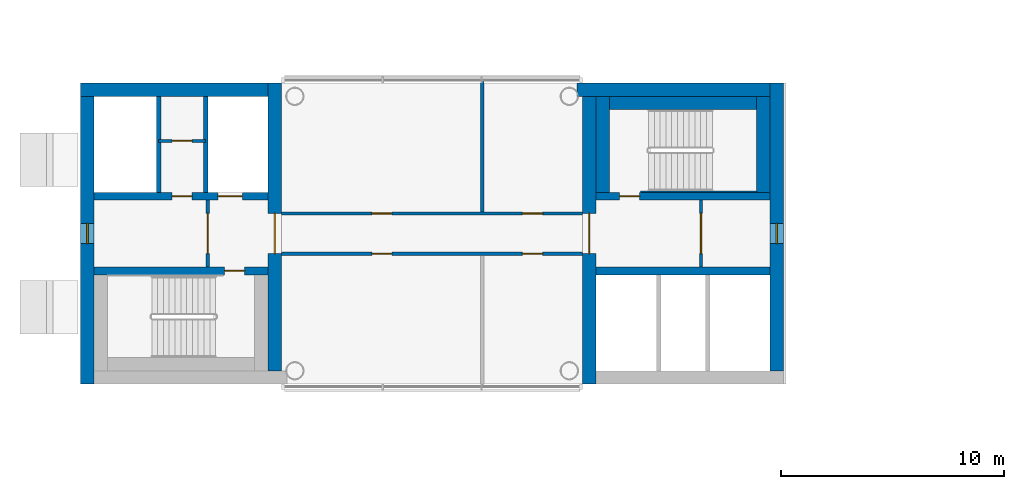
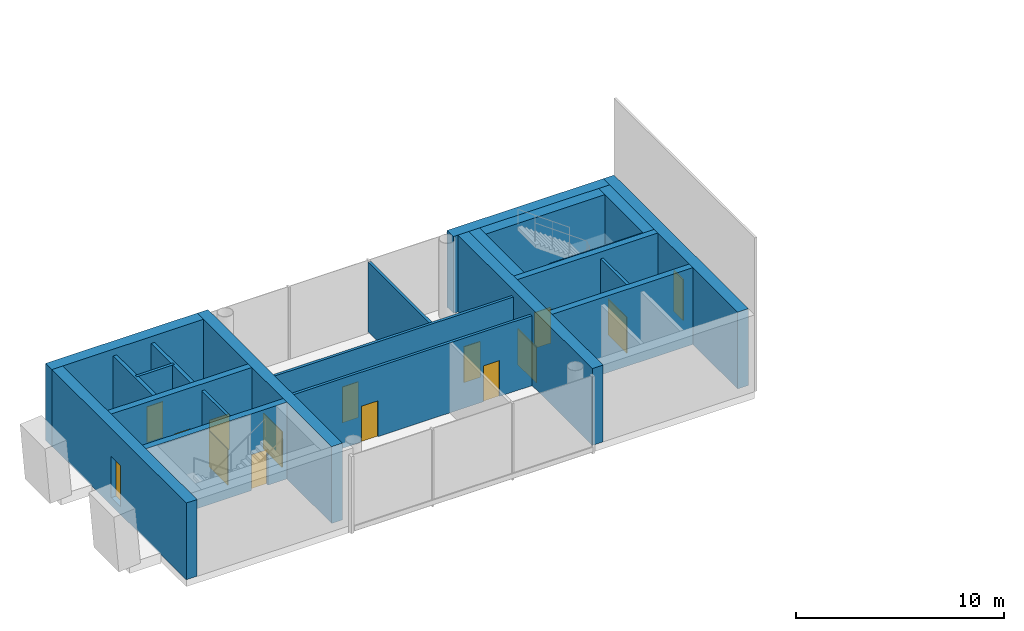
# One storey, part 5 of 11: 22 walls, 13 doors, 2 windows, 15 openings.
"""IFC4 building model written with IfcOpenShell, lengths in metres."""

from ifc_helpers import new_model, si_unit, direction, frame, frame_2d, origin, place, context, subcontext, project, spatial, rectangle, extrude, material, layer, layer_set, type_object, element, fill, save


model = new_model("IFC4")

# Units and contexts
model_context = context("Model", 3, precision=1e-05, world=origin(), true_north=direction((0.0, 1.0)))
body_context = subcontext(model_context, "Body", "Model", "MODEL_VIEW")
ifc_project = project(units=[si_unit("LENGTHUNIT", "METRE"), si_unit("AREAUNIT", "SQUARE_METRE"), si_unit("VOLUMEUNIT", "CUBIC_METRE"), si_unit("PLANEANGLEUNIT", "RADIAN"), si_unit("MASSUNIT", "GRAM", prefix="KILO")], contexts=[model_context])

# Site, building, storey
site_placement = place(None, origin())
site = spatial("IfcSite", under=ifc_project, at=site_placement, CompositionType="ELEMENT")
building_placement = place(site_placement, origin())
building = spatial("IfcBuilding", under=site, at=building_placement, Name="Ipe Terrace Towers", CompositionType="ELEMENT")
storey_placement = place(building_placement, frame((0.0, 0.0, 251.39990234375)))
storey = spatial("IfcBuildingStorey", under=building, at=storey_placement, Name="L69", CompositionType="ELEMENT", Elevation=251.39990234375)

# Wall, opening, door
ifc_material_1 = material(Name="Gypsum board partition", Category="plasterboard")
ifc_layer_1 = layer(ifc_material_1, 0.14990234375)
ifc_layer_set_1 = layer_set([ifc_layer_1], Name="Gypsum board partition 150 mm")
wall_type_1 = type_object("IfcWallType", Name="Gypsum board partition 150 mm", PredefinedType="PARTITIONING", material=ifc_layer_set_1)
wall_1_placement = place(storey_placement, frame((-23.949951171875, -1.5, 0.0), z_axis=(0.0, 0.0, 1.0), x_axis=(0.0, 1.0, 0.0)))
wall_1 = element("IfcWall", 1, at=wall_1_placement, inside=storey, type_object=wall_type_1, Name="Gypsum board partition T1 L69 t1c1-lobby-wall", PredefinedType="PARTITIONING", context=body_context, shape_type="SweptSolid", body=[
    extrude(rectangle(XDim=3.0, YDim=0.14990234375, at=frame_2d((1.5, 0.0))), origin(), (0.0, 0.0, 1.0), 4.10009765625),
])
opening_1_placement = place(wall_1_placement, frame((0.60009765625, 0.0, 0.0)))
opening_1 = element("IfcOpeningElement", 2, at=opening_1_placement, cuts=wall_1, Name="Opening T1C1-VD", PredefinedType="OPENING", context=body_context, shape_type="SweptSolid", body=[
    extrude(rectangle(XDim=1.800048828125, YDim=2.10009765625, at=frame_2d((0.89990234375, 1.050048828125))), frame((0.0, 0.0849609375, 0.0), z_axis=(0.0, -1.0, 0.0), x_axis=(1.0, 0.0, 0.0)), (0.0, 0.0, 1.0), 0.169921875),
])
ifc_material_2 = material(Name="Fire-rated timber door leaf", Category="wood")
door_type_1 = type_object("IfcDoorType", Name="Lobby door 1800 x 2100 FD60", OperationType="NOTDEFINED", PredefinedType="DOOR", material=ifc_material_2)
door_1_placement = place(opening_1_placement, origin())
door_1 = element("IfcDoor", 3, at=door_1_placement, inside=storey, type_object=door_type_1, Name="Lobby door T1C1-VD", OperationType="SINGLE_SWING_LEFT", OverallHeight=2.10009765625, OverallWidth=1.800048828125, PredefinedType="DOOR", context=body_context, shape_type="SweptSolid", body=[
    extrude(rectangle(XDim=1.800048828125, YDim=2.10009765625, at=frame_2d((0.89990234375, 1.050048828125))), frame((0.0, 0.02490234375, 0.0), z_axis=(0.0, -1.0, 0.0), x_axis=(1.0, 0.0, 0.0)), (0.0, 0.0, 1.0), 0.050048828125),
])
fill(opening_1, door_1)

wall_2_placement = place(storey_placement, frame((-46.050048828125, 1.5, 0.0), z_axis=(0.0, 0.0, 1.0), x_axis=(0.0, -1.0, 0.0)))
wall_2 = element("IfcWall", 4, at=wall_2_placement, inside=storey, type_object=wall_type_1, Name="Gypsum board partition T1 L69 t1c2-lobby-wall", PredefinedType="PARTITIONING", context=body_context, shape_type="SweptSolid", body=[
    extrude(rectangle(XDim=3.0, YDim=0.14990234375, at=frame_2d((1.5, 0.0))), origin(), (0.0, 0.0, 1.0), 4.10009765625),
])
opening_2_placement = place(wall_2_placement, frame((0.60009765625, 0.0, 0.0)))
opening_2 = element("IfcOpeningElement", 5, at=opening_2_placement, cuts=wall_2, Name="Opening T1C2-VD", PredefinedType="OPENING", context=body_context, shape_type="SweptSolid", body=[
    extrude(rectangle(XDim=1.800048828125, YDim=2.10009765625, at=frame_2d((0.89990234375, 1.050048828125))), frame((0.0, 0.0849609375, 0.0), z_axis=(0.0, -1.0, 0.0), x_axis=(1.0, 0.0, 0.0)), (0.0, 0.0, 1.0), 0.169921875),
])
door_2_placement = place(opening_2_placement, origin())
door_2 = element("IfcDoor", 6, at=door_2_placement, inside=storey, type_object=door_type_1, Name="Lobby door T1C2-VD", OperationType="SINGLE_SWING_LEFT", OverallHeight=2.10009765625, OverallWidth=1.800048828125, PredefinedType="DOOR", context=body_context, shape_type="SweptSolid", body=[
    extrude(rectangle(XDim=1.800048828125, YDim=2.10009765625, at=frame_2d((0.89990234375, 1.050048828125))), frame((0.0, 0.02490234375, 0.0), z_axis=(0.0, -1.0, 0.0), x_axis=(1.0, 0.0, 0.0)), (0.0, 0.0, 1.0), 0.050048828125),
])
fill(opening_2, door_2)

wall_3_placement = place(storey_placement, frame((-46.14990234375, 4.14990234375, 0.0), z_axis=(0.0, 0.0, 1.0), x_axis=(-1.0, 0.0, 0.0)))
wall_3 = element("IfcWall", 7, at=wall_3_placement, inside=storey, type_object=wall_type_1, Name="Gypsum board partition T1 L69 t1c2-q-back", PredefinedType="PARTITIONING", context=body_context, shape_type="SweptSolid", body=[
    extrude(rectangle(XDim=2.10009765625, YDim=0.14990234375, at=frame_2d((1.050048828125, 0.0))), origin(), (0.0, 0.0, 1.0), 4.10009765625),
])
opening_3_placement = place(wall_3_placement, frame((0.60009765625, 0.0, 0.0)))
opening_3 = element("IfcOpeningElement", 8, at=opening_3_placement, cuts=wall_3, Name="Opening T1C2-RB-FD30S", PredefinedType="OPENING", context=body_context, shape_type="SweptSolid", body=[
    extrude(rectangle(XDim=0.89990234375, YDim=2.10009765625, at=frame_2d((0.449951171875, 1.050048828125))), frame((0.0, 0.0849609375, 0.0), z_axis=(0.0, -1.0, 0.0), x_axis=(1.0, 0.0, 0.0)), (0.0, 0.0, 1.0), 0.169921875),
])
ifc_material_3 = material(Name="Fire-rated timber door leaf", Category="wood")
door_type_2 = type_object("IfcDoorType", Name="Service door 900 x 2100 FD30S", OperationType="NOTDEFINED", PredefinedType="DOOR", material=ifc_material_3)
door_3_placement = place(opening_3_placement, origin())
door_3 = element("IfcDoor", 9, at=door_3_placement, inside=storey, type_object=door_type_2, Name="Service door T1C2-RB-FD30S", OperationType="SINGLE_SWING_LEFT", OverallHeight=2.10009765625, OverallWidth=0.89990234375, PredefinedType="DOOR", context=body_context, shape_type="SweptSolid", body=[
    extrude(rectangle(XDim=0.89990234375, YDim=2.10009765625, at=frame_2d((0.449951171875, 1.050048828125))), frame((0.0, 0.02490234375, 0.0), z_axis=(0.0, -1.0, 0.0), x_axis=(1.0, 0.0, 0.0)), (0.0, 0.0, 1.0), 0.050048828125),
])
fill(opening_3, door_3)

# Wall, openings, doors
wall_4_placement = place(storey_placement, frame((-42.75, 0.89990234375, 0.0), z_axis=(0.0, 0.0, 1.0), x_axis=(1.0, 0.0, 0.0)))
wall_4 = element("IfcWall", 10, at=wall_4_placement, inside=storey, type_object=wall_type_1, Name="Gypsum board partition T1 L69 sp-hub-wp", PredefinedType="PARTITIONING", context=body_context, shape_type="SweptSolid", body=[
    extrude(rectangle(XDim=13.5, YDim=0.14990234375, at=frame_2d((6.75, 0.0))), origin(), (0.0, 0.0, 1.0), 4.10009765625),
])
opening_4_placement = place(wall_4_placement, frame((4.050048828125, 0.0, 0.0)))
opening_4 = element("IfcOpeningElement", 11, at=opening_4_placement, cuts=wall_4, Name="Opening T1-SP-HP1", PredefinedType="OPENING", context=body_context, shape_type="SweptSolid", body=[
    extrude(rectangle(XDim=0.89990234375, YDim=2.10009765625, at=frame_2d((0.449951171875, 1.050048828125))), frame((0.0, 0.0849609375, 0.0), z_axis=(0.0, -1.0, 0.0), x_axis=(1.0, 0.0, 0.0)), (0.0, 0.0, 1.0), 0.169921875),
])
opening_5_placement = place(wall_4_placement, frame((10.800048828125, 0.0, 0.0)))
opening_5 = element("IfcOpeningElement", 12, at=opening_5_placement, cuts=wall_4, Name="Opening T1-SP-HP2", PredefinedType="OPENING", context=body_context, shape_type="SweptSolid", body=[
    extrude(rectangle(XDim=0.89990234375, YDim=2.10009765625, at=frame_2d((0.449951171875, 1.050048828125))), frame((0.0, 0.0849609375, 0.0), z_axis=(0.0, -1.0, 0.0), x_axis=(1.0, 0.0, 0.0)), (0.0, 0.0, 1.0), 0.169921875),
])
ifc_material_4 = material(Name="Fire-rated timber door leaf", Category="wood")
door_type_3 = type_object("IfcDoorType", Name="Service door 900 x 2100 FD60", OperationType="NOTDEFINED", PredefinedType="DOOR", material=ifc_material_4)
door_4_placement = place(opening_4_placement, origin())
door_4 = element("IfcDoor", 13, at=door_4_placement, inside=storey, type_object=door_type_3, Name="Service door T1-SP-HP1", OperationType="SINGLE_SWING_RIGHT", OverallHeight=2.10009765625, OverallWidth=0.89990234375, PredefinedType="DOOR", context=body_context, shape_type="SweptSolid", body=[
    extrude(rectangle(XDim=0.89990234375, YDim=2.10009765625, at=frame_2d((0.449951171875, 1.050048828125))), frame((0.0, 0.02490234375, 0.0), z_axis=(0.0, -1.0, 0.0), x_axis=(1.0, 0.0, 0.0)), (0.0, 0.0, 1.0), 0.050048828125),
])
fill(opening_4, door_4)
door_5_placement = place(opening_5_placement, origin())
door_5 = element("IfcDoor", 14, at=door_5_placement, inside=storey, type_object=door_type_3, Name="Service door T1-SP-HP2", OperationType="SINGLE_SWING_LEFT", OverallHeight=2.10009765625, OverallWidth=0.89990234375, PredefinedType="DOOR", context=body_context, shape_type="SweptSolid", body=[
    extrude(rectangle(XDim=0.89990234375, YDim=2.10009765625, at=frame_2d((0.449951171875, 1.050048828125))), frame((0.0, 0.02490234375, 0.0), z_axis=(0.0, -1.0, 0.0), x_axis=(1.0, 0.0, 0.0)), (0.0, 0.0, 1.0), 0.050048828125),
])
fill(opening_5, door_5)

# Wall
wall_5_placement = place(storey_placement, frame((-33.75, 0.97509765625, 0.0), z_axis=(0.0, 0.0, 1.0), x_axis=(0.0, 1.0, 0.0)))
element("IfcWall", 15, at=wall_5_placement, inside=storey, type_object=wall_type_1, Name="Gypsum board partition T1 L69 sp-hub-dp", PredefinedType="PARTITIONING", context=body_context, shape_type="SweptSolid", body=[
    extrude(rectangle(XDim=5.875, YDim=0.14990234375, at=frame_2d((2.9375, 0.0))), origin(), (0.0, 0.0, 1.0), 4.10009765625),
])

# Wall, openings, doors
wall_6_placement = place(storey_placement, frame((-42.75, -0.89990234375, 0.0), z_axis=(0.0, 0.0, 1.0), x_axis=(1.0, 0.0, 0.0)))
wall_6 = element("IfcWall", 16, at=wall_6_placement, inside=storey, type_object=wall_type_1, Name="Gypsum board partition T1 L69 sp-hub-wm", PredefinedType="PARTITIONING", context=body_context, shape_type="SweptSolid", body=[
    extrude(rectangle(XDim=13.5, YDim=0.14990234375, at=frame_2d((6.75, 0.0))), origin(), (0.0, 0.0, 1.0), 4.10009765625),
])
opening_6_placement = place(wall_6_placement, frame((4.050048828125, 0.0, 0.0)))
opening_6 = element("IfcOpeningElement", 17, at=opening_6_placement, cuts=wall_6, Name="Opening T1-SP-HM1", PredefinedType="OPENING", context=body_context, shape_type="SweptSolid", body=[
    extrude(rectangle(XDim=0.89990234375, YDim=2.10009765625, at=frame_2d((0.449951171875, 1.050048828125))), frame((0.0, 0.0849609375, 0.0), z_axis=(0.0, -1.0, 0.0), x_axis=(1.0, 0.0, 0.0)), (0.0, 0.0, 1.0), 0.169921875),
])
opening_7_placement = place(wall_6_placement, frame((10.800048828125, 0.0, 0.0)))
opening_7 = element("IfcOpeningElement", 18, at=opening_7_placement, cuts=wall_6, Name="Opening T1-SP-HM2", PredefinedType="OPENING", context=body_context, shape_type="SweptSolid", body=[
    extrude(rectangle(XDim=0.89990234375, YDim=2.10009765625, at=frame_2d((0.449951171875, 1.050048828125))), frame((0.0, 0.0849609375, 0.0), z_axis=(0.0, -1.0, 0.0), x_axis=(1.0, 0.0, 0.0)), (0.0, 0.0, 1.0), 0.169921875),
])
door_6_placement = place(opening_6_placement, origin())
door_6 = element("IfcDoor", 19, at=door_6_placement, inside=storey, type_object=door_type_3, Name="Service door T1-SP-HM1", OperationType="SINGLE_SWING_LEFT", OverallHeight=2.10009765625, OverallWidth=0.89990234375, PredefinedType="DOOR", context=body_context, shape_type="SweptSolid", body=[
    extrude(rectangle(XDim=0.89990234375, YDim=2.10009765625, at=frame_2d((0.449951171875, 1.050048828125))), frame((0.0, 0.02490234375, 0.0), z_axis=(0.0, -1.0, 0.0), x_axis=(1.0, 0.0, 0.0)), (0.0, 0.0, 1.0), 0.050048828125),
])
fill(opening_6, door_6)
door_7_placement = place(opening_7_placement, origin())
door_7 = element("IfcDoor", 20, at=door_7_placement, inside=storey, type_object=door_type_3, Name="Service door T1-SP-HM2", OperationType="SINGLE_SWING_RIGHT", OverallHeight=2.10009765625, OverallWidth=0.89990234375, PredefinedType="DOOR", context=body_context, shape_type="SweptSolid", body=[
    extrude(rectangle(XDim=0.89990234375, YDim=2.10009765625, at=frame_2d((0.449951171875, 1.050048828125))), frame((0.0, 0.02490234375, 0.0), z_axis=(0.0, -1.0, 0.0), x_axis=(1.0, 0.0, 0.0)), (0.0, 0.0, 1.0), 0.050048828125),
])
fill(opening_7, door_7)

# Walls
ifc_material_5 = material(Name="Gypsum board party wall", Category="plasterboard")
ifc_layer_2 = layer(ifc_material_5, 0.199951171875)
ifc_layer_set_2 = layer_set([ifc_layer_2], Name="Gypsum board party wall 200 mm")
wall_type_2 = type_object("IfcWallType", Name="Gypsum board party wall 200 mm", PredefinedType="SOLIDWALL", material=ifc_layer_set_2)
for number, where, z_axis, x_axis, name in (
    (21, (-48.25, 6.14990234375, 0.0), (0.0, 0.0, 1.0), (0.0, -1.0, 0.0), "Gypsum board party wall T1 L69 t1c2-shaft-div2"),
    (22, (-46.14990234375, 6.14990234375, 0.0), (0.0, 0.0, 1.0), (0.0, -1.0, 0.0), "Gypsum board party wall T1 L69 t1c2-shaft-div1"),
):
    element("IfcWall", number, at=place(storey_placement, frame(where, z_axis=z_axis, x_axis=x_axis)), inside=storey, type_object=wall_type_2, Name=name, PredefinedType="SOLIDWALL", context=body_context, shape_type="SweptSolid", body=[
        extrude(rectangle(XDim=4.2998046875, YDim=0.199951171875, at=frame_2d((2.14990234375, 0.0))), origin(), (0.0, 0.0, 1.0), 4.10009765625),
    ])
ifc_material_6 = material(Name="Concrete C40/50", Category="concrete")
ifc_layer_3 = layer(ifc_material_6, 0.35009765625)
ifc_layer_set_3 = layer_set([ifc_layer_3], Name="RW350 CORE SPINE WALL 350 C40-50")
wall_type_3 = type_object("IfcWallType", Name="RW350 CORE SPINE WALL 350 C40-50", PredefinedType="SHEAR", material=ifc_layer_set_3)
wall_7_placement = place(storey_placement, frame((-28.64990234375, -1.675048828125, 0.0), z_axis=(0.0, 0.0, 1.0), x_axis=(1.0, 0.0, 0.0)))
element("IfcWall", 23, at=wall_7_placement, inside=storey, type_object=wall_type_3, Name="Core spine wall T1-C1-Z4-SW1", PredefinedType="SHEAR", context=body_context, shape_type="SweptSolid", body=[
    extrude(rectangle(XDim=7.7998046875, YDim=0.35009765625, at=frame_2d((3.89990234375, 0.0))), origin(), (0.0, 0.0, 1.0), 4.5),
])

# Wall, opening, door
wall_8_placement = place(storey_placement, frame((-28.64990234375, 1.675048828125, 0.0), z_axis=(0.0, 0.0, 1.0), x_axis=(1.0, 0.0, 0.0)))
wall_8 = element("IfcWall", 24, at=wall_8_placement, inside=storey, type_object=wall_type_3, Name="Core spine wall T1-C1-Z4-SW2", PredefinedType="SHEAR", context=body_context, shape_type="SweptSolid", body=[
    extrude(rectangle(XDim=7.7998046875, YDim=0.35009765625, at=frame_2d((3.89990234375, 0.0))), origin(), (0.0, 0.0, 1.0), 4.5),
])
opening_8_placement = place(wall_8_placement, frame((1.050048828125, 0.0, 0.0)))
opening_8 = element("IfcOpeningElement", 25, at=opening_8_placement, cuts=wall_8, Name="Opening T1C1-SD", PredefinedType="OPENING", context=body_context, shape_type="SweptSolid", body=[
    extrude(rectangle(XDim=0.89990234375, YDim=2.10009765625, at=frame_2d((0.449951171875, 1.050048828125))), frame((0.0, 0.18505859375, 0.0), z_axis=(0.0, -1.0, 0.0), x_axis=(1.0, 0.0, 0.0)), (0.0, 0.0, 1.0), 0.3701171875),
])
ifc_material_7 = material(Name="Fire-rated timber door leaf", Category="wood")
door_type_4 = type_object("IfcDoorType", Name="Stair door 900 x 2100 FD60", OperationType="NOTDEFINED", PredefinedType="DOOR", material=ifc_material_7)
door_8_placement = place(opening_8_placement, origin())
door_8 = element("IfcDoor", 26, at=door_8_placement, inside=storey, type_object=door_type_4, Name="Stair door T1C1-SD", OperationType="SINGLE_SWING_LEFT", OverallHeight=2.10009765625, OverallWidth=0.89990234375, PredefinedType="DOOR", context=body_context, shape_type="SweptSolid", body=[
    extrude(rectangle(XDim=0.89990234375, YDim=2.10009765625, at=frame_2d((0.449951171875, 1.050048828125))), frame((0.0, 0.02490234375, 0.0), z_axis=(0.0, -1.0, 0.0), x_axis=(1.0, 0.0, 0.0)), (0.0, 0.0, 1.0), 0.050048828125),
])
fill(opening_8, door_8)

wall_9_placement = place(storey_placement, frame((-51.14990234375, -1.675048828125, 0.0), z_axis=(0.0, 0.0, 1.0), x_axis=(1.0, 0.0, 0.0)))
wall_9 = element("IfcWall", 27, at=wall_9_placement, inside=storey, type_object=wall_type_3, Name="Core spine wall T1-C2-Z4-SW1", PredefinedType="SHEAR", context=body_context, shape_type="SweptSolid", body=[
    extrude(rectangle(XDim=7.7998046875, YDim=0.35009765625, at=frame_2d((3.89990234375, 0.0))), origin(), (0.0, 0.0, 1.0), 4.5),
])
opening_9_placement = place(wall_9_placement, frame((5.85009765625, 0.0, 0.0)))
opening_9 = element("IfcOpeningElement", 28, at=opening_9_placement, cuts=wall_9, Name="Opening T1C2-SD", PredefinedType="OPENING", context=body_context, shape_type="SweptSolid", body=[
    extrude(rectangle(XDim=0.89990234375, YDim=2.10009765625, at=frame_2d((0.449951171875, 1.050048828125))), frame((0.0, 0.18505859375, 0.0), z_axis=(0.0, -1.0, 0.0), x_axis=(1.0, 0.0, 0.0)), (0.0, 0.0, 1.0), 0.3701171875),
])
door_9_placement = place(opening_9_placement, origin())
door_9 = element("IfcDoor", 29, at=door_9_placement, inside=storey, type_object=door_type_4, Name="Stair door T1C2-SD", OperationType="SINGLE_SWING_RIGHT", OverallHeight=2.10009765625, OverallWidth=0.89990234375, PredefinedType="DOOR", context=body_context, shape_type="SweptSolid", body=[
    extrude(rectangle(XDim=0.89990234375, YDim=2.10009765625, at=frame_2d((0.449951171875, 1.050048828125))), frame((0.0, 0.02490234375, 0.0), z_axis=(0.0, -1.0, 0.0), x_axis=(1.0, 0.0, 0.0)), (0.0, 0.0, 1.0), 0.050048828125),
])
fill(opening_9, door_9)

# Wall, openings, doors
wall_10_placement = place(storey_placement, frame((-51.14990234375, 1.675048828125, 0.0), z_axis=(0.0, 0.0, 1.0), x_axis=(1.0, 0.0, 0.0)))
wall_10 = element("IfcWall", 30, at=wall_10_placement, inside=storey, type_object=wall_type_3, Name="Core spine wall T1-C2-Z4-SW2", PredefinedType="SHEAR", context=body_context, shape_type="SweptSolid", body=[
    extrude(rectangle(XDim=7.7998046875, YDim=0.35009765625, at=frame_2d((3.89990234375, 0.0))), origin(), (0.0, 0.0, 1.0), 4.5),
])
opening_10_placement = place(wall_10_placement, frame((5.550048828125, 0.0, 0.0)))
opening_10 = element("IfcOpeningElement", 31, at=opening_10_placement, cuts=wall_10, Name="Opening T1C2-LD1", PredefinedType="OPENING", context=body_context, shape_type="SweptSolid", body=[
    extrude(rectangle(XDim=1.10009765625, YDim=2.10009765625, at=frame_2d((0.550048828125, 1.050048828125))), frame((0.0, 0.18505859375, 0.0), z_axis=(0.0, -1.0, 0.0), x_axis=(1.0, 0.0, 0.0)), (0.0, 0.0, 1.0), 0.3701171875),
])
opening_11_placement = place(wall_10_placement, frame((3.5, 0.0, 0.0)))
opening_11 = element("IfcOpeningElement", 32, at=opening_11_placement, cuts=wall_10, Name="Opening T1C2-R1-NR", PredefinedType="OPENING", context=body_context, shape_type="SweptSolid", body=[
    extrude(rectangle(XDim=0.89990234375, YDim=2.10009765625, at=frame_2d((0.449951171875, 1.050048828125))), frame((0.0, 0.18505859375, 0.0), z_axis=(0.0, -1.0, 0.0), x_axis=(1.0, 0.0, 0.0)), (0.0, 0.0, 1.0), 0.3701171875),
])
ifc_material_8 = material(Name="Fire-rated timber door leaf", Category="wood")
door_type_5 = type_object("IfcDoorType", Name="Sliding door 1100 x 2100 FD60", OperationType="SLIDING_TO_LEFT", PredefinedType="DOOR", material=ifc_material_8)
door_10_placement = place(opening_10_placement, origin())
door_10 = element("IfcDoor", 33, at=door_10_placement, inside=storey, type_object=door_type_5, Name="Sliding door T1C2-LD1", OperationType="SLIDING_TO_LEFT", OverallHeight=2.10009765625, OverallWidth=1.10009765625, PredefinedType="DOOR", context=body_context, shape_type="SweptSolid", body=[
    extrude(rectangle(XDim=1.10009765625, YDim=2.10009765625, at=frame_2d((0.550048828125, 1.050048828125))), frame((0.0, 0.02490234375, 0.0), z_axis=(0.0, -1.0, 0.0), x_axis=(1.0, 0.0, 0.0)), (0.0, 0.0, 1.0), 0.050048828125),
])
fill(opening_10, door_10)
ifc_material_9 = material(Name="Timber door leaf", Category="wood")
door_type_6 = type_object("IfcDoorType", Name="Store door 900 x 2100", OperationType="NOTDEFINED", PredefinedType="DOOR", material=ifc_material_9)
door_11_placement = place(opening_11_placement, origin())
door_11 = element("IfcDoor", 34, at=door_11_placement, inside=storey, type_object=door_type_6, Name="Store door T1C2-R1-NR", OperationType="SINGLE_SWING_LEFT", OverallHeight=2.10009765625, OverallWidth=0.89990234375, PredefinedType="DOOR", context=body_context, shape_type="SweptSolid", body=[
    extrude(rectangle(XDim=0.89990234375, YDim=2.10009765625, at=frame_2d((0.449951171875, 1.050048828125))), frame((0.0, 0.02490234375, 0.0), z_axis=(0.0, -1.0, 0.0), x_axis=(1.0, 0.0, 0.0)), (0.0, 0.0, 1.0), 0.050048828125),
])
fill(opening_11, door_11)

# Walls
ifc_material_10 = material(Name="Concrete C40/50", Category="concrete")
ifc_layer_4 = layer(ifc_material_10, 0.050048828125)
ifc_layer_set_4 = layer_set([ifc_layer_4], Name="RW50 CORE INFILL WALL 50 C40-50")
wall_type_4 = type_object("IfcWallType", Name="RW50 CORE INFILL WALL 50 C40-50", PredefinedType="SHEAR", material=ifc_layer_set_4)
wall_11_placement = place(storey_placement, frame((-26.64990234375, 1.875, 0.0), z_axis=(0.0, 0.0, 1.0), x_axis=(1.0, 0.0, 0.0)))
element("IfcWall", 35, at=wall_11_placement, inside=storey, type_object=wall_type_4, Name="Core infill wall T1-C1-spine-b", PredefinedType="SHEAR", context=body_context, shape_type="SweptSolid", body=[
    extrude(rectangle(XDim=5.199951171875, YDim=0.050048828125, at=frame_2d((2.60009765625, 0.0))), origin(), (0.0, 0.0, 1.0), 4.5),
])
ifc_material_11 = material(Name="Concrete C40/50", Category="concrete")
ifc_layer_5 = layer(ifc_material_11, 0.60009765625)
ifc_layer_set_5 = layer_set([ifc_layer_5], Name="RW600 CORE INFILL WALL 600 C40-50")
wall_type_5 = type_object("IfcWallType", Name="RW600 CORE INFILL WALL 600 C40-50", PredefinedType="SHEAR", material=ifc_layer_set_5)
wall_12_placement = place(storey_placement, frame((-21.14990234375, 1.85009765625, 0.0), z_axis=(0.0, 0.0, 1.0), x_axis=(0.0, 1.0, 0.0)))
element("IfcWall", 36, at=wall_12_placement, inside=storey, type_object=wall_type_5, Name="Core infill wall T1-C1-far", PredefinedType="SHEAR", context=body_context, shape_type="SweptSolid", body=[
    extrude(rectangle(XDim=4.2998046875, YDim=0.60009765625, at=frame_2d((2.14990234375, 0.0))), origin(), (0.0, 0.0, 1.0), 4.5),
])
wall_13_placement = place(storey_placement, frame((-28.050048828125, 5.85009765625, 0.0), z_axis=(0.0, 0.0, 1.0), x_axis=(1.0, 0.0, 0.0)))
element("IfcWall", 37, at=wall_13_placement, inside=storey, type_object=wall_type_5, Name="Core infill wall T1-C1-back", PredefinedType="SHEAR", context=body_context, shape_type="SweptSolid", body=[
    extrude(rectangle(XDim=6.60009765625, YDim=0.60009765625, at=frame_2d((3.300048828125, 0.0))), origin(), (0.0, 0.0, 1.0), 4.5),
])
wall_14_placement = place(storey_placement, frame((-28.35009765625, 1.85009765625, 0.0), z_axis=(0.0, 0.0, 1.0), x_axis=(0.0, 1.0, 0.0)))
element("IfcWall", 38, at=wall_14_placement, inside=storey, type_object=wall_type_5, Name="Core infill wall T1-C1-near", PredefinedType="SHEAR", context=body_context, shape_type="SweptSolid", body=[
    extrude(rectangle(XDim=4.2998046875, YDim=0.60009765625, at=frame_2d((2.14990234375, 0.0))), origin(), (0.0, 0.0, 1.0), 4.5),
])

# Wall, opening, window
ifc_material_12 = material(Name="Concrete C40/50", Category="concrete")
ifc_layer_6 = layer(ifc_material_12, 0.60009765625)
ifc_layer_set_6 = layer_set([ifc_layer_6], Name="RW600 CORE WALL 600 C40-50")
wall_type_6 = type_object("IfcWallType", Name="RW600 CORE WALL 600 C40-50", PredefinedType="SHEAR", material=ifc_layer_set_6)
wall_15_placement = place(storey_placement, frame((-20.550048828125, -6.14990234375, 0.0), z_axis=(0.0, 0.0, 1.0), x_axis=(0.0, 1.0, 0.0)))
wall_15 = element("IfcWall", 39, at=wall_15_placement, inside=storey, type_object=wall_type_6, Name="Core wall T1-C1-Z4-W02", PredefinedType="SHEAR", context=body_context, shape_type="SweptSolid", body=[
    extrude(rectangle(XDim=12.89990234375, YDim=0.60009765625, at=frame_2d((6.449951171875, 0.0))), origin(), (0.0, 0.0, 1.0), 4.5),
])
opening_12_placement = place(wall_15_placement, frame((5.699951171875, 0.0, 0.449951171875)))
opening_12 = element("IfcOpeningElement", 40, at=opening_12_placement, cuts=wall_15, Name="Opening T1-C1-W-01-L69", PredefinedType="OPENING", context=body_context, shape_type="SweptSolid", body=[
    extrude(rectangle(XDim=0.89990234375, YDim=2.39990234375, at=frame_2d((0.449951171875, 1.199951171875))), frame((0.0, 0.31005859375, 0.0), z_axis=(0.0, -1.0, 0.0), x_axis=(1.0, 0.0, 0.0)), (0.0, 0.0, 1.0), 0.6201171875),
])
ifc_material_13 = material(Name="Fire-resistant glazing EI 60", Category="glass")
window_type = type_object("IfcWindowType", Name="CORRIDOR END SLOT WINDOW 900 x 2400 EI 60", PartitioningType="SINGLE_PANEL", PredefinedType="WINDOW", material=ifc_material_13)
window_1_placement = place(opening_12_placement, origin())
window_1 = element("IfcWindow", 41, at=window_1_placement, inside=storey, type_object=window_type, Name="W-01 window", OverallHeight=2.39990234375, OverallWidth=0.89990234375, PartitioningType="SINGLE_PANEL", PredefinedType="WINDOW", context=body_context, shape_type="SweptSolid", body=[
    extrude(rectangle(XDim=0.89990234375, YDim=2.39990234375, at=frame_2d((0.449951171875, 1.199951171875))), frame((0.0, 0.030029296875, 0.0), z_axis=(0.0, -1.0, 0.0), x_axis=(1.0, 0.0, 0.0)), (0.0, 0.0, 1.0), 0.06005859375),
])
fill(opening_12, window_1)

# Wall
wall_16_placement = place(storey_placement, frame((-20.85009765625, 6.449951171875, 0.0), z_axis=(0.0, 0.0, 1.0), x_axis=(-1.0, 0.0, 0.0)))
element("IfcWall", 42, at=wall_16_placement, inside=storey, type_object=wall_type_6, Name="Core wall T1-C1-Z4-W03", PredefinedType="SHEAR", context=body_context, shape_type="SweptSolid", body=[
    extrude(rectangle(XDim=8.64794921875, YDim=0.60009765625, at=frame_2d((4.323974609375, 0.0))), origin(), (0.0, 0.0, 1.0), 4.5),
])

# Wall, opening, door
wall_17_placement = place(storey_placement, frame((-28.949951171875, 6.14990234375, 0.0), z_axis=(0.0, 0.0, 1.0), x_axis=(0.0, -1.0, 0.0)))
wall_17 = element("IfcWall", 43, at=wall_17_placement, inside=storey, type_object=wall_type_6, Name="Core wall T1-C1-Z4-W04", PredefinedType="SHEAR", context=body_context, shape_type="SweptSolid", body=[
    extrude(rectangle(XDim=12.89990234375, YDim=0.60009765625, at=frame_2d((6.449951171875, 0.0))), origin(), (0.0, 0.0, 1.0), 4.5),
])
opening_13_placement = place(wall_17_placement, frame((5.25, 0.0, 0.0)))
opening_13 = element("IfcOpeningElement", 44, at=opening_13_placement, cuts=wall_17, Name="Opening T1C1-ND", PredefinedType="OPENING", context=body_context, shape_type="SweptSolid", body=[
    extrude(rectangle(XDim=1.800048828125, YDim=2.10009765625, at=frame_2d((0.89990234375, 1.050048828125))), frame((0.0, 0.31005859375, 0.0), z_axis=(0.0, -1.0, 0.0), x_axis=(1.0, 0.0, 0.0)), (0.0, 0.0, 1.0), 0.6201171875),
])
ifc_material_14 = material(Name="Fire-rated timber door leaf", Category="wood")
door_type_7 = type_object("IfcDoorType", Name="Fire door 1800 x 2100 FD30S", OperationType="NOTDEFINED", PredefinedType="DOOR", material=ifc_material_14)
door_12_placement = place(opening_13_placement, origin())
door_12 = element("IfcDoor", 45, at=door_12_placement, inside=storey, type_object=door_type_7, Name="Fire door T1C1-ND", OperationType="SINGLE_SWING_LEFT", OverallHeight=2.10009765625, OverallWidth=1.800048828125, PredefinedType="DOOR", context=body_context, shape_type="SweptSolid", body=[
    extrude(rectangle(XDim=1.800048828125, YDim=2.10009765625, at=frame_2d((0.89990234375, 1.050048828125))), frame((0.0, 0.02490234375, 0.0), z_axis=(0.0, -1.0, 0.0), x_axis=(1.0, 0.0, 0.0)), (0.0, 0.0, 1.0), 0.050048828125),
])
fill(opening_13, door_12)

wall_18_placement = place(storey_placement, frame((-43.050048828125, -6.14990234375, 0.0), z_axis=(0.0, 0.0, 1.0), x_axis=(0.0, 1.0, 0.0)))
wall_18 = element("IfcWall", 46, at=wall_18_placement, inside=storey, type_object=wall_type_6, Name="Core wall T1-C2-Z4-W02", PredefinedType="SHEAR", context=body_context, shape_type="SweptSolid", body=[
    extrude(rectangle(XDim=12.89990234375, YDim=0.60009765625, at=frame_2d((6.449951171875, 0.0))), origin(), (0.0, 0.0, 1.0), 4.5),
])
opening_14_placement = place(wall_18_placement, frame((5.25, 0.0, 0.0)))
opening_14 = element("IfcOpeningElement", 47, at=opening_14_placement, cuts=wall_18, Name="Opening T1C2-ND", PredefinedType="OPENING", context=body_context, shape_type="SweptSolid", body=[
    extrude(rectangle(XDim=1.800048828125, YDim=2.10009765625, at=frame_2d((0.89990234375, 1.050048828125))), frame((0.0, 0.31005859375, 0.0), z_axis=(0.0, -1.0, 0.0), x_axis=(1.0, 0.0, 0.0)), (0.0, 0.0, 1.0), 0.6201171875),
])
door_13_placement = place(opening_14_placement, origin())
door_13 = element("IfcDoor", 48, at=door_13_placement, inside=storey, type_object=door_type_7, Name="Fire door T1C2-ND", OperationType="SINGLE_SWING_LEFT", OverallHeight=2.10009765625, OverallWidth=1.800048828125, PredefinedType="DOOR", context=body_context, shape_type="SweptSolid", body=[
    extrude(rectangle(XDim=1.800048828125, YDim=2.10009765625, at=frame_2d((0.89990234375, 1.050048828125))), frame((0.0, 0.02490234375, 0.0), z_axis=(0.0, -1.0, 0.0), x_axis=(1.0, 0.0, 0.0)), (0.0, 0.0, 1.0), 0.050048828125),
])
fill(opening_14, door_13)

# Wall
wall_19_placement = place(storey_placement, frame((-43.35009765625, 6.449951171875, 0.0), z_axis=(0.0, 0.0, 1.0), x_axis=(-1.0, 0.0, 0.0)))
element("IfcWall", 49, at=wall_19_placement, inside=storey, type_object=wall_type_6, Name="Core wall T1-C2-Z4-W03", PredefinedType="SHEAR", context=body_context, shape_type="SweptSolid", body=[
    extrude(rectangle(XDim=8.39990234375, YDim=0.60009765625, at=frame_2d((4.199951171875, 0.0))), origin(), (0.0, 0.0, 1.0), 4.5),
])

# Wall, opening, window
wall_20_placement = place(storey_placement, frame((-51.449951171875, 6.14990234375, 0.0), z_axis=(0.0, 0.0, 1.0), x_axis=(0.0, -1.0, 0.0)))
wall_20 = element("IfcWall", 50, at=wall_20_placement, inside=storey, type_object=wall_type_6, Name="Core wall T1-C2-Z4-W04", PredefinedType="SHEAR", context=body_context, shape_type="SweptSolid", body=[
    extrude(rectangle(XDim=12.89990234375, YDim=0.60009765625, at=frame_2d((6.449951171875, 0.0))), origin(), (0.0, 0.0, 1.0), 4.5),
])
opening_15_placement = place(wall_20_placement, frame((5.699951171875, 0.0, 0.449951171875)))
opening_15 = element("IfcOpeningElement", 51, at=opening_15_placement, cuts=wall_20, Name="Opening T1-C2-W-01-L69", PredefinedType="OPENING", context=body_context, shape_type="SweptSolid", body=[
    extrude(rectangle(XDim=0.89990234375, YDim=2.39990234375, at=frame_2d((0.449951171875, 1.199951171875))), frame((0.0, 0.31005859375, 0.0), z_axis=(0.0, -1.0, 0.0), x_axis=(1.0, 0.0, 0.0)), (0.0, 0.0, 1.0), 0.6201171875),
])
window_2_placement = place(opening_15_placement, origin())
window_2 = element("IfcWindow", 52, at=window_2_placement, inside=storey, type_object=window_type, Name="W-01 window", OverallHeight=2.39990234375, OverallWidth=0.89990234375, PartitioningType="SINGLE_PANEL", PredefinedType="WINDOW", context=body_context, shape_type="SweptSolid", body=[
    extrude(rectangle(XDim=0.89990234375, YDim=2.39990234375, at=frame_2d((0.449951171875, 1.199951171875))), frame((0.0, 0.030029296875, 0.0), z_axis=(0.0, -1.0, 0.0), x_axis=(1.0, 0.0, 0.0)), (0.0, 0.0, 1.0), 0.06005859375),
])
fill(opening_15, window_2)

save(model, "model.ifc")
